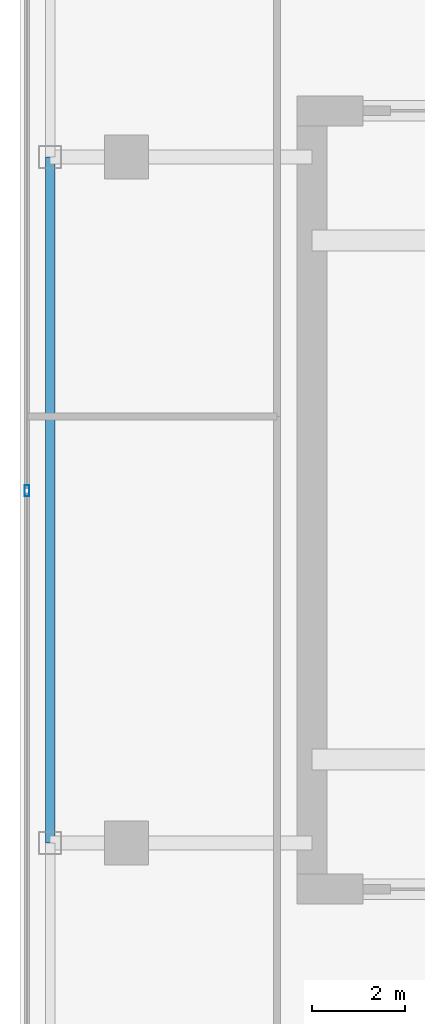
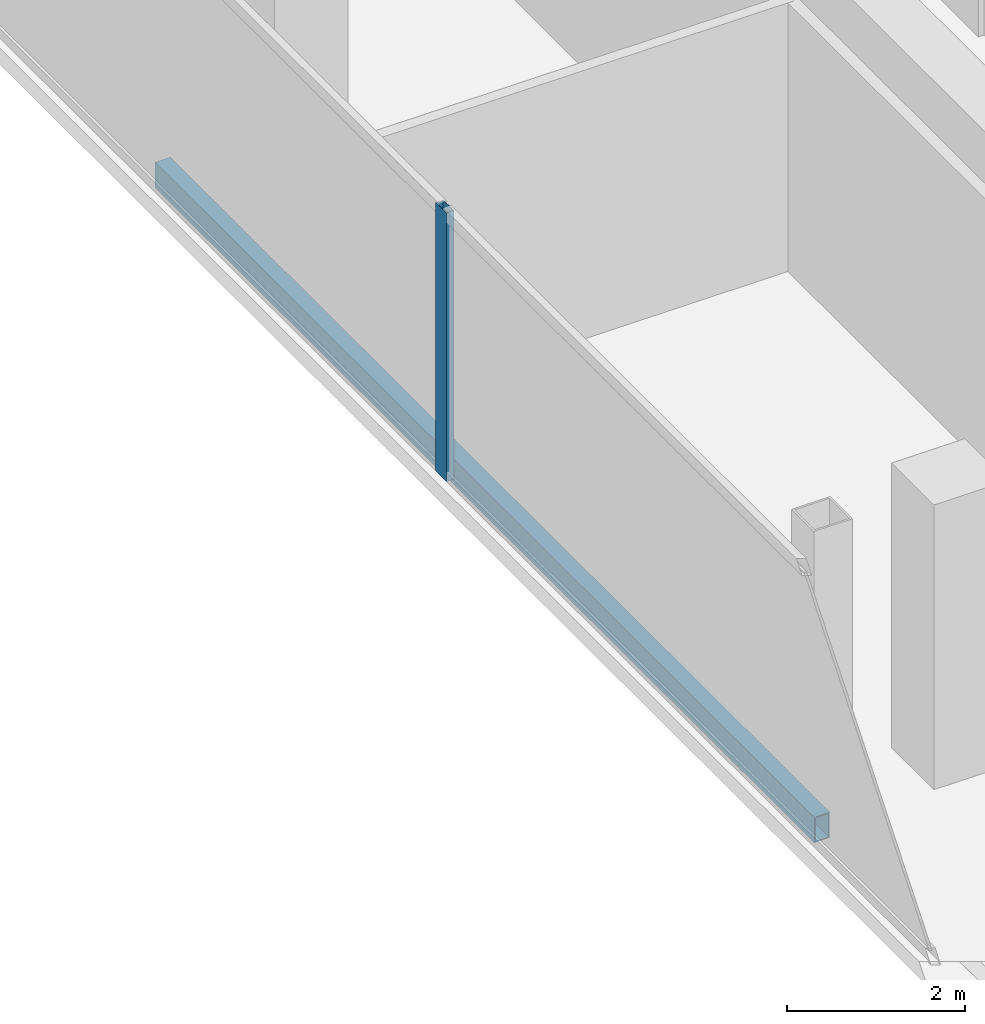
# One storey, part 5 of 22: 1 beam, 1 member, 1 element without a shape of its own.
"""IFC4 building model written with IfcOpenShell, lengths in metres."""

import ifcopenshell
import ifcopenshell.guid

model = None  # the IFC model being written
_history = None  # IfcOwnerHistory: only IFC2X3 demands one
_inside = {}  # id of a spatial element -> (the spatial element, [elements in it])
_under = {}  # id of a project, library or spatial element -> (it, [spatial elements below it])
_declared = {}  # id of a project -> (the project, [libraries it declares])
_typed = {}  # id of a type object -> (the type object, [elements of that type])
_made_of = {}  # id of a material, layer set ... -> (it, [elements and type objects made of it])


def new_model(schema):
    """Start an empty IFC model of exactly this schema.

    Asked for "IFC4X3", IfcOpenShell would pick the latest addendum, in which some entities
    have other attributes; the version numbers below select the first issue.
    IFC2X3 requires an IfcOwnerHistory on every rooted entity: one is made here for all.
    """
    global model, _history
    if schema == "IFC4X3":
        model = ifcopenshell.file(schema_version=(4, 3, 0, 0))
    else:
        model = ifcopenshell.file(schema=schema)
    _inside.clear()
    _under.clear()
    _declared.clear()
    _typed.clear()
    _made_of.clear()
    _history = None
    if model.schema == "IFC2X3":
        org = make("IfcOrganization", Name="unknown")
        user = make(
            "IfcPersonAndOrganization",
            ThePerson=make("IfcPerson", FamilyName="unknown"),
            TheOrganization=org,
        )
        app = make(
            "IfcApplication",
            ApplicationDeveloper=org,
            Version="unknown",
            ApplicationFullName="unknown",
            ApplicationIdentifier="unknown",
        )
        _history = make(
            "IfcOwnerHistory",
            OwningUser=user,
            OwningApplication=app,
            ChangeAction="ADDED",
            CreationDate=0,
        )
    return model


def make(cls, **values):
    """One entity of the class cls with the attributes given. An attribute that is None is left unset."""
    return model.create_entity(
        cls, **{name: value for name, value in values.items() if value is not None}
    )


def rooted(cls, **values):
    """An entity with a GlobalId (a new one), such as an element, a storey or a relation."""
    return make(cls, GlobalId=ifcopenshell.guid.new(), OwnerHistory=_history, **values)


def si_unit(unit_type, name, prefix=None):
    """IfcSIUnit, for example si_unit("LENGTHUNIT", "METRE", prefix="MILLI")."""
    return make("IfcSIUnit", UnitType=unit_type, Prefix=prefix, Name=name)


def assignment(units):
    """IfcUnitAssignment: the units of a project."""
    return None if units is None else make("IfcUnitAssignment", Units=units)


def point(xyz):
    """IfcCartesianPoint."""
    return None if xyz is None else make("IfcCartesianPoint", Coordinates=xyz)


def direction(xyz):
    """IfcDirection."""
    return None if xyz is None else make("IfcDirection", DirectionRatios=xyz)


def frame(location, z_axis=None, x_axis=None):
    """IfcAxis2Placement3D, a coordinate frame: its origin and axes. An axis left out is left unset."""
    return make(
        "IfcAxis2Placement3D",
        Location=point(location),
        Axis=direction(z_axis),
        RefDirection=direction(x_axis),
    )


def frame_2d(location, x_axis=None):
    """IfcAxis2Placement2D, a coordinate frame in the plane: its origin and x axis."""
    return make(
        "IfcAxis2Placement2D", Location=point(location), RefDirection=direction(x_axis)
    )


def origin():
    """The frame at (0, 0, 0) with its axes left unset."""
    return frame((0.0, 0.0, 0.0))


def origin_2d():
    """The frame at (0, 0) in the plane with its x axis left unset."""
    return frame_2d((0.0, 0.0))


def place(relative_to, where):
    """IfcLocalPlacement: puts the frame where relative to a parent placement (None: the world)."""
    return make(
        "IfcLocalPlacement", PlacementRelTo=relative_to, RelativePlacement=where
    )


def context(
    kind, dimensions, precision=None, world=None, true_north=None, identifier=None
):
    """IfcGeometricRepresentationContext, for example the 3D "Model" context."""
    return make(
        "IfcGeometricRepresentationContext",
        ContextIdentifier=identifier,
        ContextType=kind,
        CoordinateSpaceDimension=dimensions,
        Precision=precision,
        WorldCoordinateSystem=world,
        TrueNorth=true_north,
    )


def subcontext(parent, identifier, kind, view, scale=None):
    """IfcGeometricRepresentationSubContext, for example "Body" below "Model"."""
    return make(
        "IfcGeometricRepresentationSubContext",
        ContextIdentifier=identifier,
        ContextType=kind,
        ParentContext=parent,
        TargetScale=scale,
        TargetView=view,
    )


def project(units=None, contexts=None):
    """IfcProject with its units and contexts."""
    return rooted(
        "IfcProject",
        Name="project",
        RepresentationContexts=contexts,
        UnitsInContext=assignment(units),
    )


def spatial(cls, under=None, at=None, **own):
    """A site, building, storey or space (cls), placed at a placement, below another one or the project."""
    s = rooted(cls, ObjectPlacement=at, **own)
    if under is not None:
        _under.setdefault(under.id(), (under, []))[1].append(s)
    return s


def profile(cls, at=None, kind="AREA", **sizes):
    """A parametric profile (cls). Its sizes go by their IFC names, for example OverallWidth=200.0."""
    return make(cls, ProfileType=kind, Position=at, **sizes)


def hollow_rectangle(**sizes):
    """IfcRectangleHollowProfileDef."""
    return profile("IfcRectangleHollowProfileDef", **sizes)


def extrude(swept, where, along, depth):
    """IfcExtrudedAreaSolid: the profile swept, set in the frame where, extruded along a direction by depth."""
    return make(
        "IfcExtrudedAreaSolid",
        SweptArea=swept,
        Position=where,
        ExtrudedDirection=direction(along),
        Depth=depth,
    )


def shape(context_of_items, identifier, shape_type, items):
    """IfcShapeRepresentation: the items that make up one representation, for example the "Body"."""
    return make(
        "IfcShapeRepresentation",
        ContextOfItems=context_of_items,
        RepresentationIdentifier=identifier,
        RepresentationType=shape_type,
        Items=items,
    )


def material(Name=None, Category=None):
    """IfcMaterial."""
    return make("IfcMaterial", Name=Name, Category=Category)


def layer(
    of_material, thickness, ventilated=None, Name=None, Category=None, Priority=None
):
    """IfcMaterialLayer: one layer of a wall or slab, of a material (None: an air gap)."""
    return make(
        "IfcMaterialLayer",
        Material=of_material,
        LayerThickness=thickness,
        IsVentilated=ventilated,
        Name=Name,
        Category=Category,
        Priority=Priority,
    )


def layer_set(layers, Name=None):
    """IfcMaterialLayerSet."""
    return make("IfcMaterialLayerSet", MaterialLayers=layers, LayerSetName=Name)


def material_profile(
    of_material, cross_section, Name=None, Category=None, Priority=None
):
    """IfcMaterialProfile: a cross section and its material."""
    return make(
        "IfcMaterialProfile",
        Name=Name,
        Material=of_material,
        Profile=cross_section,
        Priority=Priority,
        Category=Category,
    )


def profile_set(profiles, Name=None, composite=None):
    """IfcMaterialProfileSet."""
    return make(
        "IfcMaterialProfileSet",
        Name=Name,
        MaterialProfiles=profiles,
        CompositeProfile=composite,
    )


def made_of(thing, what):
    """Note that an element or type object is made of a material, layer set ...; save() writes the relation."""
    if what is not None:
        _made_of.setdefault(what.id(), (what, []))[1].append(thing)
    return thing


def type_object(cls, material=None, **own):
    """A type object (cls), such as IfcWallType, which elements share."""
    return made_of(rooted(cls, **own), material)


def element(
    cls,
    number,
    at=None,
    inside=None,
    cuts=None,
    type_object=None,
    material=None,
    context=None,
    identifier="Body",
    shape_type=None,
    held_by="IfcProductDefinitionShape",
    body=None,
    shapes=None,
    **own,
):
    """One element of the class cls, such as IfcWall. Its Tag is "e" and its number.

    at: its placement. inside: the storey or other place that contains it. cuts: it is an
    opening in that element (IfcRelVoidsElement). A single representation is given by context,
    identifier, shape_type and body (its items); several are given by shapes. held_by: the class
    of the entity that holds the representations. save() writes the other relations.
    """
    e = rooted(cls, Tag="e%d" % number, ObjectPlacement=at, **own)
    if body is not None:
        shapes = [shape(context, identifier, shape_type, body)]
    if shapes is not None:
        e.Representation = make(held_by, Representations=shapes)
    if inside is not None:
        _inside.setdefault(inside.id(), (inside, []))[1].append(e)
    if cuts is not None:
        rooted(
            "IfcRelVoidsElement", RelatingBuildingElement=cuts, RelatedOpeningElement=e
        )
    if type_object is not None:
        _typed.setdefault(type_object.id(), (type_object, []))[1].append(e)
    return made_of(e, material)


def aggregate(whole, parts):
    """IfcRelAggregates: a whole, such as a stair, and the parts it consists of."""
    return rooted("IfcRelAggregates", RelatingObject=whole, RelatedObjects=parts)


def save(model, path):
    """Write the relations noted so far, then the file.

    IfcRelAggregates (storeys below a building ...), IfcRelContainedInSpatialStructure (elements
    in a storey), IfcRelDefinesByType, IfcRelAssociatesMaterial and IfcRelDeclares: one each for
    every whole, place, type object, material and project.
    """
    for whole, parts in _under.values():
        aggregate(whole, parts)
    for where, things in _inside.values():
        rooted(
            "IfcRelContainedInSpatialStructure",
            RelatedElements=things,
            RelatingStructure=where,
        )
    for kind, things in _typed.values():
        rooted("IfcRelDefinesByType", RelatedObjects=things, RelatingType=kind)
    for what, things in _made_of.values():
        rooted("IfcRelAssociatesMaterial", RelatedObjects=things, RelatingMaterial=what)
    for by, libraries in _declared.values():
        rooted("IfcRelDeclares", RelatingContext=by, RelatedDefinitions=libraries)
    model.write(path)


model = new_model("IFC4")

# Units and contexts
model_context = context("Model", 3, precision=1e-05, world=origin(), true_north=direction((0.0, 1.0)))
body_context = subcontext(model_context, "Body", "Model", "MODEL_VIEW")
ifc_project = project(units=[si_unit("LENGTHUNIT", "METRE"), si_unit("AREAUNIT", "SQUARE_METRE"), si_unit("VOLUMEUNIT", "CUBIC_METRE"), si_unit("PLANEANGLEUNIT", "RADIAN"), si_unit("MASSUNIT", "GRAM", prefix="KILO")], contexts=[model_context])

# Site, building, storey
site_placement = place(None, origin())
site = spatial("IfcSite", under=ifc_project, at=site_placement, CompositionType="ELEMENT")
building_placement = place(site_placement, origin())
building = spatial("IfcBuilding", under=site, at=building_placement, Name="Khorvyn Point Tower", CompositionType="ELEMENT")
storey_placement = place(building_placement, frame((0.0, 0.0, 278.10009765625)))
storey = spatial("IfcBuildingStorey", under=building, at=storey_placement, Name="L68", CompositionType="ELEMENT", Elevation=278.10009765625)

# Curtain wall, member
ifc_material_1 = material(Name="Anodised aluminium 6063-T6 and laminated Low-E glass", Category="aluminium")
ifc_layer = layer(ifc_material_1, 0.18994140625)
ifc_layer_set = layer_set([ifc_layer], Name="Stick-Built High-Wind Curtain Wall CW-SYS-04")
curtain_wall_type = type_object("IfcCurtainWallType", Name="Stick-Built High-Wind Curtain Wall CW-SYS-04", PredefinedType="NOTDEFINED", material=ifc_layer_set)
curtain_wall_placement = place(storey_placement, origin())
curtain_wall = element("IfcCurtainWall", 1, at=curtain_wall_placement, inside=storey, type_object=curtain_wall_type, Name="Curtain Wall", PredefinedType="NOTDEFINED")
ifc_material_2 = material(Name="Anodised aluminium 6063-T6", Category="aluminium")
ifc_material_profile_1 = material_profile(ifc_material_2, hollow_rectangle(XDim=0.10009765625, YDim=0.239990234375, WallThickness=0.0048828125, at=origin_2d()))
ifc_profile_set_1 = profile_set([ifc_material_profile_1], Name="Anodised aluminium 6063-T6 ALU-MUL-100x240")
member_type = type_object("IfcMemberType", Name="Anodised Aluminium 6063-T6 Mullion ALU-MUL-100x240", PredefinedType="MULLION", material=ifc_profile_set_1)
member_placement = place(storey_placement, frame((-16.949951171875, 0.199951171875, 0.0), z_axis=(0.0, 0.0, 1.0), x_axis=(-1.0, 0.0, 0.0)))
member = element("IfcMember", 2, at=member_placement, type_object=member_type, Name="Transom", PredefinedType="MULLION", context=body_context, shape_type="SweptSolid", body=[
    extrude(hollow_rectangle(XDim=0.10009765625, YDim=0.239990234375, WallThickness=0.0048828125, at=origin_2d()), origin(), (0.0, 0.0, 1.0), 3.679931640625),
])
aggregate(curtain_wall, [member])

# Beam
ifc_material_3 = material(Name="Steel S355", Category="steel")
ifc_material_profile_2 = material_profile(ifc_material_3, hollow_rectangle(XDim=0.199951171875, YDim=0.35009765625, WallThickness=0.013916015625, at=origin_2d()))
ifc_profile_set_2 = profile_set([ifc_material_profile_2], Name="Steel S355 RHS350x200x14")
beam_type = type_object("IfcBeamType", Name="Steel S355 Spandrel RHS350x200x14", PredefinedType="SPANDREL", material=ifc_profile_set_2)
beam_placement = place(storey_placement, frame((-16.449951171875, -7.39990234375, -0.39501953125), z_axis=(0.0, 1.0, 0.0), x_axis=(-1.0, 0.0, 0.0)))
element("IfcBeam", 3, at=beam_placement, inside=storey, type_object=beam_type, Name="Beam", PredefinedType="SPANDREL", context=body_context, shape_type="SweptSolid", body=[
    extrude(hollow_rectangle(XDim=0.199951171875, YDim=0.35009765625, WallThickness=0.013916015625, at=origin_2d()), origin(), (0.0, 0.0, 1.0), 14.7998046875),
])

save(model, "model.ifc")
